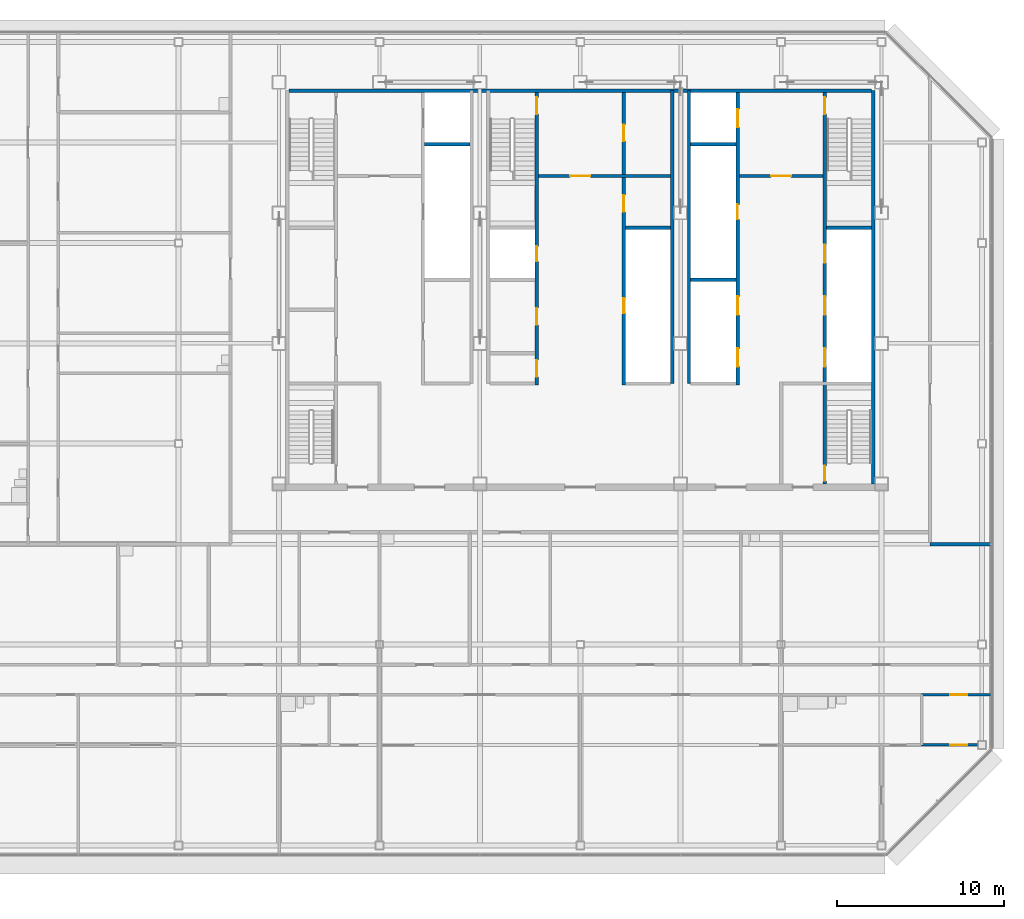
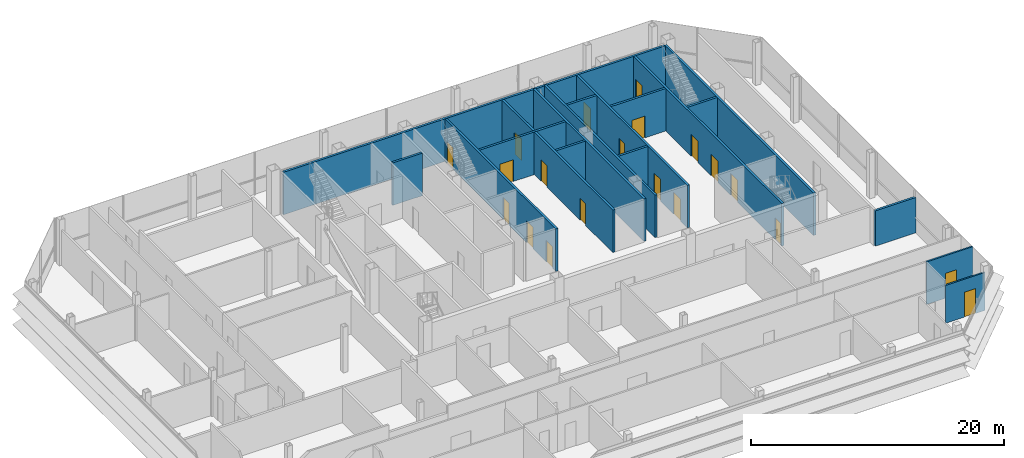
# One storey, part 24 of 29: 20 doors, 18 walls, 20 openings.
"""IFC4 building model written with IfcOpenShell, lengths in metres."""

from ifc_helpers import new_model, si_unit, direction, frame, frame_2d, origin, place, context, subcontext, project, spatial, rectangle, extrude, material, layer, layer_set, type_object, element, fill, save


model = new_model("IFC4")

# Units and contexts
model_context = context("Model", 3, precision=1e-05, world=origin(), true_north=direction((0.0, 1.0)))
body_context = subcontext(model_context, "Body", "Model", "MODEL_VIEW")
ifc_project = project(units=[si_unit("LENGTHUNIT", "METRE"), si_unit("AREAUNIT", "SQUARE_METRE"), si_unit("VOLUMEUNIT", "CUBIC_METRE"), si_unit("PLANEANGLEUNIT", "RADIAN"), si_unit("MASSUNIT", "GRAM", prefix="KILO")], contexts=[model_context])

# Site, building, storey
site_placement = place(None, origin())
site = spatial("IfcSite", under=ifc_project, at=site_placement, CompositionType="ELEMENT")
building_placement = place(site_placement, origin())
building = spatial("IfcBuilding", under=site, at=building_placement, Name="Sorahane Residences", CompositionType="ELEMENT")
storey_placement = place(building_placement, frame((0.0, 0.0, 326.800048828125)))
storey = spatial("IfcBuildingStorey", under=building, at=storey_placement, Name="L78", CompositionType="ELEMENT", Elevation=326.800048828125)

# Walls
ifc_material_1 = material(Name="Concrete C30", Category="concrete")
ifc_layer_1 = layer(ifc_material_1, 0.199951171875)
ifc_layer_set_1 = layer_set([ifc_layer_1], Name="Core face wall 200 EI 180")
wall_type_1 = type_object("IfcWallType", Name="Core face wall 200 EI 180", PredefinedType="SOLIDWALL", material=ifc_layer_set_1)
wall_1_placement = place(storey_placement, frame((41.5, 21.60009765625, 0.0), z_axis=(0.0, 0.0, 1.0), x_axis=(0.0, 1.0, 0.0)))
element("IfcWall", 1, at=wall_1_placement, inside=storey, type_object=wall_type_1, Name="L78 core face wall", PredefinedType="SOLIDWALL", context=body_context, shape_type="SweptSolid", body=[
    extrude(rectangle(XDim=23.5, YDim=0.199951171875, at=frame_2d((11.75, 0.0))), origin(), (0.0, 0.0, 1.0), 4.099853515625),
])
wall_2_placement = place(storey_placement, frame((6.60009765625, 45.10009765625, 0.0), z_axis=(0.0, 0.0, 1.0), x_axis=(1.0, 0.0, 0.0)))
element("IfcWall", 2, at=wall_2_placement, inside=storey, type_object=wall_type_1, Name="L78 core face wall", PredefinedType="SOLIDWALL", context=body_context, shape_type="SweptSolid", body=[
    extrude(rectangle(XDim=34.7998046875, YDim=0.199951171875, at=frame_2d((17.39990234375, 0.0))), origin(), (0.0, 0.0, 1.0), 4.099853515625),
])
for number, where, z_axis, x_axis, name in (
    (3, (29.5, 27.60009765625, 0.0), (0.0, 0.0, 1.0), (0.0, 1.0, 0.0), "L78 core face wall"),
    (4, (30.5, 27.60009765625, 0.0), (0.0, 0.0, 1.0), (0.0, 1.0, 0.0), "L78 core face wall"),
):
    element("IfcWall", number, at=place(storey_placement, frame(where, z_axis=z_axis, x_axis=x_axis)), inside=storey, type_object=wall_type_1, Name=name, PredefinedType="SOLIDWALL", context=body_context, shape_type="SweptSolid", body=[
        extrude(rectangle(XDim=17.5, YDim=0.199951171875, at=frame_2d((8.75, 0.0))), origin(), (0.0, 0.0, 1.0), 4.099853515625),
    ])
ifc_material_2 = material(Name="Concrete blockwork C20 wall", Category="masonry")
ifc_layer_2 = layer(ifc_material_2, 0.199951171875)
ifc_layer_set_2 = layer_set([ifc_layer_2], Name="Corridor wall 200 EI 120")
wall_type_2 = type_object("IfcWallType", Name="Corridor wall 200 EI 120", PredefinedType="SOLIDWALL", material=ifc_layer_set_2)
wall_3_placement = place(storey_placement, frame((44.89990234375, 18.0, 0.0), z_axis=(0.0, 0.0, 1.0), x_axis=(1.0, 0.0, 0.0)))
element("IfcWall", 5, at=wall_3_placement, inside=storey, type_object=wall_type_2, Name="L78 corridor wall", PredefinedType="SOLIDWALL", context=body_context, shape_type="SweptSolid", body=[
    extrude(rectangle(XDim=3.7001953125, YDim=0.199951171875, at=frame_2d((1.85009765625, 0.0))), origin(), (0.0, 0.0, 1.0), 3.39990234375),
])

# Wall, opening, door
ifc_material_3 = material(Name="Concrete C30", Category="concrete")
ifc_layer_3 = layer(ifc_material_3, 0.199951171875)
ifc_layer_set_3 = layer_set([ifc_layer_3], Name="Front room wall 200 EI 120")
wall_type_3 = type_object("IfcWallType", Name="Front room wall 200 EI 120", PredefinedType="PARTITIONING", material=ifc_layer_set_3)
wall_4_placement = place(storey_placement, frame((21.5, 40.0, 0.0), z_axis=(0.0, 0.0, 1.0), x_axis=(1.0, 0.0, 0.0)))
wall_4 = element("IfcWall", 6, at=wall_4_placement, inside=storey, type_object=wall_type_3, Name="L78 front room wall", PredefinedType="PARTITIONING", context=body_context, shape_type="SweptSolid", body=[
    extrude(rectangle(XDim=7.89990234375, YDim=0.199951171875, at=frame_2d((3.949951171875, 0.0))), origin(), (0.0, 0.0, 1.0), 4.099853515625),
])
opening_1_placement = place(wall_4_placement, frame((1.89990234375, 0.0, 0.0)))
opening_1 = element("IfcOpeningElement", 7, at=opening_1_placement, cuts=wall_4, Name="Opening L78-C07", PredefinedType="OPENING", context=body_context, shape_type="SweptSolid", body=[
    extrude(rectangle(XDim=1.199951171875, YDim=2.10009765625, at=frame_2d((0.60009765625, 1.050048828125))), frame((0.0, 0.10986328125, 0.0), z_axis=(0.0, -1.0, 0.0), x_axis=(1.0, 0.0, 0.0)), (0.0, 0.0, 1.0), 0.219970703125),
])
ifc_material_4 = material(Name="Steel", Category="steel")
door_type_1 = type_object("IfcDoorType", Name="Front room door 1200x2100 FD120", OperationType="NOTDEFINED", PredefinedType="DOOR", material=ifc_material_4)
door_1_placement = place(opening_1_placement, frame((1.199951171875, 0.0, 0.0), z_axis=(0.0, 0.0, 1.0), x_axis=(-1.0, 0.0, 0.0)))
door_1 = element("IfcDoor", 8, at=door_1_placement, inside=storey, type_object=door_type_1, Name="Front room door Stair S3 vestibule L78", OperationType="DOUBLE_DOOR_SINGLE_SWING", OverallHeight=2.10009765625, OverallWidth=1.199951171875, PredefinedType="DOOR", context=body_context, shape_type="SweptSolid", body=[
    extrude(rectangle(XDim=1.199951171875, YDim=2.10009765625, at=frame_2d((0.60009765625, 1.050048828125))), frame((0.0, 0.02490234375, 0.0), z_axis=(0.0, -1.0, 0.0), x_axis=(1.0, 0.0, 0.0)), (0.0, 0.0, 1.0), 0.050048828125),
])
fill(opening_1, door_1)

wall_5_placement = place(storey_placement, frame((33.5, 40.0, 0.0), z_axis=(0.0, 0.0, 1.0), x_axis=(1.0, 0.0, 0.0)))
wall_5 = element("IfcWall", 9, at=wall_5_placement, inside=storey, type_object=wall_type_3, Name="L78 front room wall", PredefinedType="PARTITIONING", context=body_context, shape_type="SweptSolid", body=[
    extrude(rectangle(XDim=5.0, YDim=0.199951171875, at=frame_2d((2.5, 0.0))), origin(), (0.0, 0.0, 1.0), 4.099853515625),
])
opening_2_placement = place(wall_5_placement, frame((1.89990234375, 0.0, 0.0)))
opening_2 = element("IfcOpeningElement", 10, at=opening_2_placement, cuts=wall_5, Name="Opening L78-C08", PredefinedType="OPENING", context=body_context, shape_type="SweptSolid", body=[
    extrude(rectangle(XDim=1.199951171875, YDim=2.10009765625, at=frame_2d((0.60009765625, 1.050048828125))), frame((0.0, 0.10986328125, 0.0), z_axis=(0.0, -1.0, 0.0), x_axis=(1.0, 0.0, 0.0)), (0.0, 0.0, 1.0), 0.219970703125),
])
door_2_placement = place(opening_2_placement, frame((1.199951171875, 0.0, 0.0), z_axis=(0.0, 0.0, 1.0), x_axis=(-1.0, 0.0, 0.0)))
door_2 = element("IfcDoor", 11, at=door_2_placement, inside=storey, type_object=door_type_1, Name="Front room door Firefighting lobby FF2 front room L78", OperationType="DOUBLE_DOOR_SINGLE_SWING", OverallHeight=2.10009765625, OverallWidth=1.199951171875, PredefinedType="DOOR", context=body_context, shape_type="SweptSolid", body=[
    extrude(rectangle(XDim=1.199951171875, YDim=2.10009765625, at=frame_2d((0.60009765625, 1.050048828125))), frame((0.0, 0.02490234375, 0.0), z_axis=(0.0, -1.0, 0.0), x_axis=(1.0, 0.0, 0.0)), (0.0, 0.0, 1.0), 0.050048828125),
])
fill(opening_2, door_2)

# Wall, openings, doors
ifc_material_5 = material(Name="Concrete C30", Category="concrete")
ifc_layer_4 = layer(ifc_material_5, 0.199951171875)
ifc_layer_set_4 = layer_set([ifc_layer_4], Name="Lift shaft wall 200 EI 120")
wall_type_4 = type_object("IfcWallType", Name="Lift shaft wall 200 EI 120", PredefinedType="SOLIDWALL", material=ifc_layer_set_4)
wall_6_placement = place(storey_placement, frame((33.39990234375, 27.5, 0.0), z_axis=(0.0, 0.0, 1.0), x_axis=(0.0, 1.0, 0.0)))
wall_6 = element("IfcWall", 12, at=wall_6_placement, inside=storey, type_object=wall_type_4, Name="L78 lift shaft wall", PredefinedType="SOLIDWALL", context=body_context, shape_type="SweptSolid", body=[
    extrude(rectangle(XDim=17.5, YDim=0.199951171875, at=frame_2d((8.75, 0.0))), origin(), (0.0, 0.0, 1.0), 4.099853515625),
])
opening_3_placement = place(wall_6_placement, frame((1.10009765625, 0.0, 0.0)))
opening_3 = element("IfcOpeningElement", 13, at=opening_3_placement, cuts=wall_6, Name="Opening L78-C12", PredefinedType="OPENING", context=body_context, shape_type="SweptSolid", body=[
    extrude(rectangle(XDim=1.10009765625, YDim=2.10009765625, at=frame_2d((0.550048828125, 1.050048828125))), frame((0.0, 0.10986328125, 0.0), z_axis=(0.0, -1.0, 0.0), x_axis=(1.0, 0.0, 0.0)), (0.0, 0.0, 1.0), 0.219970703125),
])
opening_4_placement = place(wall_6_placement, frame((4.199951171875, 0.0, 0.0)))
opening_4 = element("IfcOpeningElement", 14, at=opening_4_placement, cuts=wall_6, Name="Opening L78-C13", PredefinedType="OPENING", context=body_context, shape_type="SweptSolid", body=[
    extrude(rectangle(XDim=1.10009765625, YDim=2.10009765625, at=frame_2d((0.550048828125, 1.050048828125))), frame((0.0, 0.10986328125, 0.0), z_axis=(0.0, -1.0, 0.0), x_axis=(1.0, 0.0, 0.0)), (0.0, 0.0, 1.0), 0.219970703125),
])
opening_5_placement = place(wall_6_placement, frame((15.39990234375, 0.0, 0.0)))
opening_5 = element("IfcOpeningElement", 15, at=opening_5_placement, cuts=wall_6, Name="Opening L78-C14", PredefinedType="OPENING", context=body_context, shape_type="SweptSolid", body=[
    extrude(rectangle(XDim=1.10009765625, YDim=2.10009765625, at=frame_2d((0.550048828125, 1.050048828125))), frame((0.0, 0.10986328125, 0.0), z_axis=(0.0, -1.0, 0.0), x_axis=(1.0, 0.0, 0.0)), (0.0, 0.0, 1.0), 0.219970703125),
])
opening_6_placement = place(wall_6_placement, frame((9.89990234375, 0.0, 0.0)))
opening_6 = element("IfcOpeningElement", 16, at=opening_6_placement, cuts=wall_6, Name="Opening L78-C27", PredefinedType="OPENING", context=body_context, shape_type="SweptSolid", body=[
    extrude(rectangle(XDim=0.89990234375, YDim=2.10009765625, at=frame_2d((0.449951171875, 1.050048828125))), frame((0.0, 0.10986328125, 0.0), z_axis=(0.0, -1.0, 0.0), x_axis=(1.0, 0.0, 0.0)), (0.0, 0.0, 1.0), 0.219970703125),
])
ifc_material_6 = material(Name="Aluminium and stainless steel", Category="steel")
door_type_2 = type_object("IfcDoorType", Name="Lift landing door 1100x2100 E 60", OperationType="NOTDEFINED", PredefinedType="DOOR", material=ifc_material_6)
door_3_placement = place(opening_3_placement, origin())
door_3 = element("IfcDoor", 17, at=door_3_placement, inside=storey, type_object=door_type_2, Name="Lift landing door HR4 L78", OperationType="DOUBLE_DOOR_SLIDING", OverallHeight=2.10009765625, OverallWidth=1.10009765625, PredefinedType="DOOR", context=body_context, shape_type="SweptSolid", body=[
    extrude(rectangle(XDim=1.10009765625, YDim=2.10009765625, at=frame_2d((0.550048828125, 1.050048828125))), frame((0.0, 0.02490234375, 0.0), z_axis=(0.0, -1.0, 0.0), x_axis=(1.0, 0.0, 0.0)), (0.0, 0.0, 1.0), 0.050048828125),
])
fill(opening_3, door_3)
door_4_placement = place(opening_4_placement, origin())
door_4 = element("IfcDoor", 18, at=door_4_placement, inside=storey, type_object=door_type_2, Name="Lift landing door HR5 L78", OperationType="DOUBLE_DOOR_SLIDING", OverallHeight=2.10009765625, OverallWidth=1.10009765625, PredefinedType="DOOR", context=body_context, shape_type="SweptSolid", body=[
    extrude(rectangle(XDim=1.10009765625, YDim=2.10009765625, at=frame_2d((0.550048828125, 1.050048828125))), frame((0.0, 0.02490234375, 0.0), z_axis=(0.0, -1.0, 0.0), x_axis=(1.0, 0.0, 0.0)), (0.0, 0.0, 1.0), 0.050048828125),
])
fill(opening_4, door_4)
door_5_placement = place(opening_5_placement, origin())
door_5 = element("IfcDoor", 19, at=door_5_placement, inside=storey, type_object=door_type_2, Name="Lift landing door FF2 L78", OperationType="DOUBLE_DOOR_SLIDING", OverallHeight=2.10009765625, OverallWidth=1.10009765625, PredefinedType="DOOR", context=body_context, shape_type="SweptSolid", body=[
    extrude(rectangle(XDim=1.10009765625, YDim=2.10009765625, at=frame_2d((0.550048828125, 1.050048828125))), frame((0.0, 0.02490234375, 0.0), z_axis=(0.0, -1.0, 0.0), x_axis=(1.0, 0.0, 0.0)), (0.0, 0.0, 1.0), 0.050048828125),
])
fill(opening_5, door_5)
ifc_material_7 = material(Name="Steel", Category="steel")
door_type_3 = type_object("IfcDoorType", Name="Riser door 900x2100 FD120", OperationType="NOTDEFINED", PredefinedType="DOOR", material=ifc_material_7)
door_6_placement = place(opening_6_placement, frame((0.89990234375, 0.0, 0.0), z_axis=(0.0, 0.0, 1.0), x_axis=(-1.0, 0.0, 0.0)))
door_6 = element("IfcDoor", 20, at=door_6_placement, inside=storey, type_object=door_type_3, Name="Riser door R2 L78", OperationType="SINGLE_SWING_LEFT", OverallHeight=2.10009765625, OverallWidth=0.89990234375, PredefinedType="DOOR", context=body_context, shape_type="SweptSolid", body=[
    extrude(rectangle(XDim=0.89990234375, YDim=2.10009765625, at=frame_2d((0.449951171875, 1.050048828125))), frame((0.0, 0.02490234375, 0.0), z_axis=(0.0, -1.0, 0.0), x_axis=(1.0, 0.0, 0.0)), (0.0, 0.0, 1.0), 0.050048828125),
])
fill(opening_6, door_6)

# Walls
for number, where, z_axis, x_axis, name in (
    (21, (30.60009765625, 33.800048828125, 0.0), (0.0, 0.0, 1.0), (1.0, 0.0, 0.0), "L78 lift shaft wall"),
    (22, (14.699951171875, 41.89990234375, 0.0), (0.0, 0.0, 1.0), (1.0, 0.0, 0.0), "L78 lift shaft wall"),
    (23, (30.60009765625, 41.89990234375, 0.0), (0.0, 0.0, 1.0), (1.0, 0.0, 0.0), "L78 lift shaft wall"),
):
    element("IfcWall", number, at=place(storey_placement, frame(where, z_axis=z_axis, x_axis=x_axis)), inside=storey, type_object=wall_type_4, Name=name, PredefinedType="SOLIDWALL", context=body_context, shape_type="SweptSolid", body=[
        extrude(rectangle(XDim=2.699951171875, YDim=0.199951171875, at=frame_2d((1.35009765625, 0.0))), origin(), (0.0, 0.0, 1.0), 4.099853515625),
    ])

# Wall, opening, door
ifc_material_8 = material(Name="Gypsum board partition on steel studs", Category="steel")
ifc_layer_5 = layer(ifc_material_8, 0.14990234375)
ifc_layer_set_5 = layer_set([ifc_layer_5], Name="Partition 150 EI 90")
wall_type_5 = type_object("IfcWallType", Name="Partition 150 EI 90", PredefinedType="PARTITIONING", material=ifc_layer_set_5)
wall_7_placement = place(storey_placement, frame((44.39990234375, 6.0, 0.0), z_axis=(0.0, 0.0, 1.0), x_axis=(1.0, 0.0, 0.0)))
wall_7 = element("IfcWall", 24, at=wall_7_placement, inside=storey, type_object=wall_type_5, Name="L78 partition", PredefinedType="PARTITIONING", context=body_context, shape_type="SweptSolid", body=[
    extrude(rectangle(XDim=3.60009765625, YDim=0.14990234375, at=frame_2d((1.800048828125, 0.0))), origin(), (0.0, 0.0, 1.0), 3.64990234375),
])
opening_7_placement = place(wall_7_placement, frame((1.719970703125, 0.0, 0.0)))
opening_7 = element("IfcOpeningElement", 25, at=opening_7_placement, cuts=wall_7, Name="Opening L78-23", PredefinedType="OPENING", context=body_context, shape_type="SweptSolid", body=[
    extrude(rectangle(XDim=1.0, YDim=2.39990234375, at=frame_2d((0.5, 1.199951171875))), frame((0.0, 0.0849609375, 0.0), z_axis=(0.0, -1.0, 0.0), x_axis=(1.0, 0.0, 0.0)), (0.0, 0.0, 1.0), 0.169921875),
])
ifc_material_9 = material(Name="Timber veneered fire door", Category="wood")
door_type_4 = type_object("IfcDoorType", Name="Room door 1000x2400 FD30", OperationType="NOTDEFINED", PredefinedType="DOOR", material=ifc_material_9)
door_7_placement = place(opening_7_placement, frame((1.0, 0.0, 0.0), z_axis=(0.0, 0.0, 1.0), x_axis=(-1.0, 0.0, 0.0)))
door_7 = element("IfcDoor", 26, at=door_7_placement, inside=storey, type_object=door_type_4, Name="Room door L78-23", OperationType="SINGLE_SWING_LEFT", OverallHeight=2.39990234375, OverallWidth=1.0, PredefinedType="DOOR", context=body_context, shape_type="SweptSolid", body=[
    extrude(rectangle(XDim=1.0, YDim=2.39990234375, at=frame_2d((0.5, 1.199951171875))), frame((0.0, 0.02490234375, 0.0), z_axis=(0.0, -1.0, 0.0), x_axis=(1.0, 0.0, 0.0)), (0.0, 0.0, 1.0), 0.050048828125),
])
fill(opening_7, door_7)

wall_8_placement = place(storey_placement, frame((44.39990234375, 9.0, 0.0), z_axis=(0.0, 0.0, 1.0), x_axis=(1.0, 0.0, 0.0)))
wall_8 = element("IfcWall", 27, at=wall_8_placement, inside=storey, type_object=wall_type_5, Name="L78 partition", PredefinedType="PARTITIONING", context=body_context, shape_type="SweptSolid", body=[
    extrude(rectangle(XDim=4.2001953125, YDim=0.14990234375, at=frame_2d((2.10009765625, 0.0))), origin(), (0.0, 0.0, 1.0), 4.099853515625),
])
opening_8_placement = place(wall_8_placement, frame((1.719970703125, 0.0, 0.0)))
opening_8 = element("IfcOpeningElement", 28, at=opening_8_placement, cuts=wall_8, Name="Opening L78-20", PredefinedType="OPENING", context=body_context, shape_type="SweptSolid", body=[
    extrude(rectangle(XDim=1.0, YDim=2.39990234375, at=frame_2d((0.5, 1.199951171875))), frame((0.0, 0.0849609375, 0.0), z_axis=(0.0, -1.0, 0.0), x_axis=(1.0, 0.0, 0.0)), (0.0, 0.0, 1.0), 0.169921875),
])
door_8_placement = place(opening_8_placement, frame((1.0, 0.0, 0.0), z_axis=(0.0, 0.0, 1.0), x_axis=(-1.0, 0.0, 0.0)))
door_8 = element("IfcDoor", 29, at=door_8_placement, inside=storey, type_object=door_type_4, Name="Room door L78-20", OperationType="SINGLE_SWING_LEFT", OverallHeight=2.39990234375, OverallWidth=1.0, PredefinedType="DOOR", context=body_context, shape_type="SweptSolid", body=[
    extrude(rectangle(XDim=1.0, YDim=2.39990234375, at=frame_2d((0.5, 1.199951171875))), frame((0.0, 0.02490234375, 0.0), z_axis=(0.0, -1.0, 0.0), x_axis=(1.0, 0.0, 0.0)), (0.0, 0.0, 1.0), 0.050048828125),
])
fill(opening_8, door_8)

# Wall, openings, doors
ifc_material_10 = material(Name="Concrete C30", Category="concrete")
ifc_layer_6 = layer(ifc_material_10, 0.199951171875)
ifc_layer_set_6 = layer_set([ifc_layer_6], Name="Riser shaft wall 200 EI 120")
wall_type_6 = type_object("IfcWallType", Name="Riser shaft wall 200 EI 120", PredefinedType="SOLIDWALL", material=ifc_layer_set_6)
wall_9_placement = place(storey_placement, frame((26.60009765625, 27.5, 0.0), z_axis=(0.0, 0.0, 1.0), x_axis=(0.0, 1.0, 0.0)))
wall_9 = element("IfcWall", 30, at=wall_9_placement, inside=storey, type_object=wall_type_6, Name="L78 riser wall", PredefinedType="SOLIDWALL", context=body_context, shape_type="SweptSolid", body=[
    extrude(rectangle(XDim=17.5, YDim=0.199951171875, at=frame_2d((8.75, 0.0))), origin(), (0.0, 0.0, 1.0), 4.099853515625),
])
opening_9_placement = place(wall_9_placement, frame((4.300048828125, 0.0, 0.0)))
opening_9 = element("IfcOpeningElement", 31, at=opening_9_placement, cuts=wall_9, Name="Opening L78-C29", PredefinedType="OPENING", context=body_context, shape_type="SweptSolid", body=[
    extrude(rectangle(XDim=0.89990234375, YDim=2.10009765625, at=frame_2d((0.449951171875, 1.050048828125))), frame((0.0, 0.10986328125, 0.0), z_axis=(0.0, -1.0, 0.0), x_axis=(1.0, 0.0, 0.0)), (0.0, 0.0, 1.0), 0.219970703125),
])
opening_10_placement = place(wall_9_placement, frame((10.35009765625, 0.0, 0.0)))
opening_10 = element("IfcOpeningElement", 32, at=opening_10_placement, cuts=wall_9, Name="Opening L78-C30", PredefinedType="OPENING", context=body_context, shape_type="SweptSolid", body=[
    extrude(rectangle(XDim=1.0, YDim=2.10009765625, at=frame_2d((0.5, 1.050048828125))), frame((0.0, 0.10986328125, 0.0), z_axis=(0.0, -1.0, 0.0), x_axis=(1.0, 0.0, 0.0)), (0.0, 0.0, 1.0), 0.219970703125),
])
opening_11_placement = place(wall_9_placement, frame((14.574951171875, 0.0, 0.0)))
opening_11 = element("IfcOpeningElement", 33, at=opening_11_placement, cuts=wall_9, Name="Opening L78-C31", PredefinedType="OPENING", context=body_context, shape_type="SweptSolid", body=[
    extrude(rectangle(XDim=1.0, YDim=2.10009765625, at=frame_2d((0.5, 1.050048828125))), frame((0.0, 0.10986328125, 0.0), z_axis=(0.0, -1.0, 0.0), x_axis=(1.0, 0.0, 0.0)), (0.0, 0.0, 1.0), 0.219970703125),
])
door_9_placement = place(opening_9_placement, origin())
door_9 = element("IfcDoor", 34, at=door_9_placement, inside=storey, type_object=door_type_3, Name="Riser door R4 L78", OperationType="SINGLE_SWING_LEFT", OverallHeight=2.10009765625, OverallWidth=0.89990234375, PredefinedType="DOOR", context=body_context, shape_type="SweptSolid", body=[
    extrude(rectangle(XDim=0.89990234375, YDim=2.10009765625, at=frame_2d((0.449951171875, 1.050048828125))), frame((0.0, 0.02490234375, 0.0), z_axis=(0.0, -1.0, 0.0), x_axis=(1.0, 0.0, 0.0)), (0.0, 0.0, 1.0), 0.050048828125),
])
fill(opening_9, door_9)
ifc_material_11 = material(Name="Steel", Category="steel")
door_type_5 = type_object("IfcDoorType", Name="Service room door 1000x2100 FD60", OperationType="NOTDEFINED", PredefinedType="DOOR", material=ifc_material_11)
door_10_placement = place(opening_10_placement, frame((1.0, 0.0, 0.0), z_axis=(0.0, 0.0, 1.0), x_axis=(-1.0, 0.0, 0.0)))
door_10 = element("IfcDoor", 35, at=door_10_placement, inside=storey, type_object=door_type_5, Name="Service room door Linen room L78", OperationType="SINGLE_SWING_LEFT", OverallHeight=2.10009765625, OverallWidth=1.0, PredefinedType="DOOR", context=body_context, shape_type="SweptSolid", body=[
    extrude(rectangle(XDim=1.0, YDim=2.10009765625, at=frame_2d((0.5, 1.050048828125))), frame((0.0, 0.02490234375, 0.0), z_axis=(0.0, -1.0, 0.0), x_axis=(1.0, 0.0, 0.0)), (0.0, 0.0, 1.0), 0.050048828125),
])
fill(opening_10, door_10)
door_11_placement = place(opening_11_placement, frame((1.0, 0.0, 0.0), z_axis=(0.0, 0.0, 1.0), x_axis=(-1.0, 0.0, 0.0)))
door_11 = element("IfcDoor", 36, at=door_11_placement, inside=storey, type_object=door_type_5, Name="Service room door Cleaners' store L78", OperationType="SINGLE_SWING_LEFT", OverallHeight=2.10009765625, OverallWidth=1.0, PredefinedType="DOOR", context=body_context, shape_type="SweptSolid", body=[
    extrude(rectangle(XDim=1.0, YDim=2.10009765625, at=frame_2d((0.5, 1.050048828125))), frame((0.0, 0.02490234375, 0.0), z_axis=(0.0, -1.0, 0.0), x_axis=(1.0, 0.0, 0.0)), (0.0, 0.0, 1.0), 0.050048828125),
])
fill(opening_11, door_11)

# Wall
wall_10_placement = place(storey_placement, frame((26.699951171875, 36.89990234375, 0.0), z_axis=(0.0, 0.0, 1.0), x_axis=(1.0, 0.0, 0.0)))
element("IfcWall", 37, at=wall_10_placement, inside=storey, type_object=wall_type_6, Name="L78 riser wall", PredefinedType="SOLIDWALL", context=body_context, shape_type="SweptSolid", body=[
    extrude(rectangle(XDim=2.699951171875, YDim=0.199951171875, at=frame_2d((1.35009765625, 0.0))), origin(), (0.0, 0.0, 1.0), 4.099853515625),
])

# Wall, openings, doors
ifc_material_12 = material(Name="Concrete C30", Category="concrete")
ifc_layer_7 = layer(ifc_material_12, 0.199951171875)
ifc_layer_set_7 = layer_set([ifc_layer_7], Name="Stair enclosure wall 200 EI 120")
wall_type_7 = type_object("IfcWallType", Name="Stair enclosure wall 200 EI 120", PredefinedType="SOLIDWALL", material=ifc_layer_set_7)
wall_11_placement = place(storey_placement, frame((21.39990234375, 27.5, 0.0), z_axis=(0.0, 0.0, 1.0), x_axis=(0.0, 1.0, 0.0)))
wall_11 = element("IfcWall", 38, at=wall_11_placement, inside=storey, type_object=wall_type_7, Name="L78 stair enclosure wall", PredefinedType="SOLIDWALL", context=body_context, shape_type="SweptSolid", body=[
    extrude(rectangle(XDim=17.5, YDim=0.199951171875, at=frame_2d((8.75, 0.0))), origin(), (0.0, 0.0, 1.0), 4.099853515625),
])
opening_12_placement = place(wall_11_placement, frame((0.5, 0.0, 0.0)))
opening_12 = element("IfcOpeningElement", 39, at=opening_12_placement, cuts=wall_11, Name="Opening L78-C16", PredefinedType="OPENING", context=body_context, shape_type="SweptSolid", body=[
    extrude(rectangle(XDim=1.0, YDim=2.10009765625, at=frame_2d((0.5, 1.050048828125))), frame((0.0, 0.10986328125, 0.0), z_axis=(0.0, -1.0, 0.0), x_axis=(1.0, 0.0, 0.0)), (0.0, 0.0, 1.0), 0.219970703125),
])
opening_13_placement = place(wall_11_placement, frame((3.60009765625, 0.0, 0.0)))
opening_13 = element("IfcOpeningElement", 40, at=opening_13_placement, cuts=wall_11, Name="Opening L78-C17", PredefinedType="OPENING", context=body_context, shape_type="SweptSolid", body=[
    extrude(rectangle(XDim=1.0, YDim=2.10009765625, at=frame_2d((0.5, 1.050048828125))), frame((0.0, 0.10986328125, 0.0), z_axis=(0.0, -1.0, 0.0), x_axis=(1.0, 0.0, 0.0)), (0.0, 0.0, 1.0), 0.219970703125),
])
opening_14_placement = place(wall_11_placement, frame((16.199951171875, 0.0, 0.0)))
opening_14 = element("IfcOpeningElement", 41, at=opening_14_placement, cuts=wall_11, Name="Opening L78-C23", PredefinedType="OPENING", context=body_context, shape_type="SweptSolid", body=[
    extrude(rectangle(XDim=1.0, YDim=2.10009765625, at=frame_2d((0.5, 1.050048828125))), frame((0.0, 0.10986328125, 0.0), z_axis=(0.0, -1.0, 0.0), x_axis=(1.0, 0.0, 0.0)), (0.0, 0.0, 1.0), 0.219970703125),
])
opening_15_placement = place(wall_11_placement, frame((7.39990234375, 0.0, 0.0)))
opening_15 = element("IfcOpeningElement", 42, at=opening_15_placement, cuts=wall_11, Name="Opening L78-C28", PredefinedType="OPENING", context=body_context, shape_type="SweptSolid", body=[
    extrude(rectangle(XDim=0.89990234375, YDim=2.10009765625, at=frame_2d((0.449951171875, 1.050048828125))), frame((0.0, 0.10986328125, 0.0), z_axis=(0.0, -1.0, 0.0), x_axis=(1.0, 0.0, 0.0)), (0.0, 0.0, 1.0), 0.219970703125),
])
door_12_placement = place(opening_15_placement, frame((0.89990234375, 0.0, 0.0), z_axis=(0.0, 0.0, 1.0), x_axis=(-1.0, 0.0, 0.0)))
door_12 = element("IfcDoor", 43, at=door_12_placement, inside=storey, type_object=door_type_3, Name="Riser door R3 L78", OperationType="SINGLE_SWING_LEFT", OverallHeight=2.10009765625, OverallWidth=0.89990234375, PredefinedType="DOOR", context=body_context, shape_type="SweptSolid", body=[
    extrude(rectangle(XDim=0.89990234375, YDim=2.10009765625, at=frame_2d((0.449951171875, 1.050048828125))), frame((0.0, 0.02490234375, 0.0), z_axis=(0.0, -1.0, 0.0), x_axis=(1.0, 0.0, 0.0)), (0.0, 0.0, 1.0), 0.050048828125),
])
fill(opening_15, door_12)
door_13_placement = place(opening_12_placement, origin())
door_13 = element("IfcDoor", 44, at=door_13_placement, inside=storey, type_object=door_type_5, Name="Service room door Flower store L78", OperationType="SINGLE_SWING_RIGHT", OverallHeight=2.10009765625, OverallWidth=1.0, PredefinedType="DOOR", context=body_context, shape_type="SweptSolid", body=[
    extrude(rectangle(XDim=1.0, YDim=2.10009765625, at=frame_2d((0.5, 1.050048828125))), frame((0.0, 0.02490234375, 0.0), z_axis=(0.0, -1.0, 0.0), x_axis=(1.0, 0.0, 0.0)), (0.0, 0.0, 1.0), 0.050048828125),
])
fill(opening_12, door_13)
door_14_placement = place(opening_13_placement, origin())
door_14 = element("IfcDoor", 45, at=door_14_placement, inside=storey, type_object=door_type_5, Name="Service room door Gift store L78", OperationType="SINGLE_SWING_LEFT", OverallHeight=2.10009765625, OverallWidth=1.0, PredefinedType="DOOR", context=body_context, shape_type="SweptSolid", body=[
    extrude(rectangle(XDim=1.0, YDim=2.10009765625, at=frame_2d((0.5, 1.050048828125))), frame((0.0, 0.02490234375, 0.0), z_axis=(0.0, -1.0, 0.0), x_axis=(1.0, 0.0, 0.0)), (0.0, 0.0, 1.0), 0.050048828125),
])
fill(opening_13, door_14)
ifc_material_13 = material(Name="Steel", Category="steel")
door_type_6 = type_object("IfcDoorType", Name="Stair door 1000x2100 FD120", OperationType="NOTDEFINED", PredefinedType="DOOR", material=ifc_material_13)
door_15_placement = place(opening_14_placement, origin())
door_15 = element("IfcDoor", 46, at=door_15_placement, inside=storey, type_object=door_type_6, Name="Stair door S3 L78", OperationType="SINGLE_SWING_LEFT", OverallHeight=2.10009765625, OverallWidth=1.0, PredefinedType="DOOR", context=body_context, shape_type="SweptSolid", body=[
    extrude(rectangle(XDim=1.0, YDim=2.10009765625, at=frame_2d((0.5, 1.050048828125))), frame((0.0, 0.02490234375, 0.0), z_axis=(0.0, -1.0, 0.0), x_axis=(1.0, 0.0, 0.0)), (0.0, 0.0, 1.0), 0.050048828125),
])
fill(opening_14, door_15)

wall_12_placement = place(storey_placement, frame((38.60009765625, 21.60009765625, 0.0), z_axis=(0.0, 0.0, 1.0), x_axis=(0.0, 1.0, 0.0)))
wall_12 = element("IfcWall", 47, at=wall_12_placement, inside=storey, type_object=wall_type_7, Name="L78 stair enclosure wall", PredefinedType="SOLIDWALL", context=body_context, shape_type="SweptSolid", body=[
    extrude(rectangle(XDim=23.39990234375, YDim=0.199951171875, at=frame_2d((11.699951171875, 0.0))), origin(), (0.0, 0.0, 1.0), 4.099853515625),
])
opening_16_placement = place(wall_12_placement, frame((7.0, 0.0, 0.0)))
opening_16 = element("IfcOpeningElement", 48, at=opening_16_placement, cuts=wall_12, Name="Opening L78-C09", PredefinedType="OPENING", context=body_context, shape_type="SweptSolid", body=[
    extrude(rectangle(XDim=1.10009765625, YDim=2.10009765625, at=frame_2d((0.550048828125, 1.050048828125))), frame((0.0, 0.10986328125, 0.0), z_axis=(0.0, -1.0, 0.0), x_axis=(1.0, 0.0, 0.0)), (0.0, 0.0, 1.0), 0.219970703125),
])
opening_17_placement = place(wall_12_placement, frame((10.10009765625, 0.0, 0.0)))
opening_17 = element("IfcOpeningElement", 49, at=opening_17_placement, cuts=wall_12, Name="Opening L78-C10", PredefinedType="OPENING", context=body_context, shape_type="SweptSolid", body=[
    extrude(rectangle(XDim=1.10009765625, YDim=2.10009765625, at=frame_2d((0.550048828125, 1.050048828125))), frame((0.0, 0.10986328125, 0.0), z_axis=(0.0, -1.0, 0.0), x_axis=(1.0, 0.0, 0.0)), (0.0, 0.0, 1.0), 0.219970703125),
])
opening_18_placement = place(wall_12_placement, frame((13.199951171875, 0.0, 0.0)))
opening_18 = element("IfcOpeningElement", 50, at=opening_18_placement, cuts=wall_12, Name="Opening L78-C11", PredefinedType="OPENING", context=body_context, shape_type="SweptSolid", body=[
    extrude(rectangle(XDim=1.10009765625, YDim=2.10009765625, at=frame_2d((0.550048828125, 1.050048828125))), frame((0.0, 0.10986328125, 0.0), z_axis=(0.0, -1.0, 0.0), x_axis=(1.0, 0.0, 0.0)), (0.0, 0.0, 1.0), 0.219970703125),
])
opening_19_placement = place(wall_12_placement, frame((22.10009765625, 0.0, 0.0)))
opening_19 = element("IfcOpeningElement", 51, at=opening_19_placement, cuts=wall_12, Name="Opening L78-C22", PredefinedType="OPENING", context=body_context, shape_type="SweptSolid", body=[
    extrude(rectangle(XDim=1.0, YDim=2.10009765625, at=frame_2d((0.5, 1.050048828125))), frame((0.0, 0.10986328125, 0.0), z_axis=(0.0, -1.0, 0.0), x_axis=(1.0, 0.0, 0.0)), (0.0, 0.0, 1.0), 0.219970703125),
])
opening_20_placement = place(wall_12_placement, frame((0.175048828125, 0.0, 0.0)))
opening_20 = element("IfcOpeningElement", 52, at=opening_20_placement, cuts=wall_12, Name="Opening L78-C25", PredefinedType="OPENING", context=body_context, shape_type="SweptSolid", body=[
    extrude(rectangle(XDim=0.89990234375, YDim=2.10009765625, at=frame_2d((0.449951171875, 1.050048828125))), frame((0.0, 0.10986328125, 0.0), z_axis=(0.0, -1.0, 0.0), x_axis=(1.0, 0.0, 0.0)), (0.0, 0.0, 1.0), 0.219970703125),
])
door_16_placement = place(opening_16_placement, origin())
door_16 = element("IfcDoor", 53, at=door_16_placement, inside=storey, type_object=door_type_2, Name="Lift landing door HR1 L78", OperationType="DOUBLE_DOOR_SLIDING", OverallHeight=2.10009765625, OverallWidth=1.10009765625, PredefinedType="DOOR", context=body_context, shape_type="SweptSolid", body=[
    extrude(rectangle(XDim=1.10009765625, YDim=2.10009765625, at=frame_2d((0.550048828125, 1.050048828125))), frame((0.0, 0.02490234375, 0.0), z_axis=(0.0, -1.0, 0.0), x_axis=(1.0, 0.0, 0.0)), (0.0, 0.0, 1.0), 0.050048828125),
])
fill(opening_16, door_16)
door_17_placement = place(opening_17_placement, origin())
door_17 = element("IfcDoor", 54, at=door_17_placement, inside=storey, type_object=door_type_2, Name="Lift landing door HR2 L78", OperationType="DOUBLE_DOOR_SLIDING", OverallHeight=2.10009765625, OverallWidth=1.10009765625, PredefinedType="DOOR", context=body_context, shape_type="SweptSolid", body=[
    extrude(rectangle(XDim=1.10009765625, YDim=2.10009765625, at=frame_2d((0.550048828125, 1.050048828125))), frame((0.0, 0.02490234375, 0.0), z_axis=(0.0, -1.0, 0.0), x_axis=(1.0, 0.0, 0.0)), (0.0, 0.0, 1.0), 0.050048828125),
])
fill(opening_17, door_17)
door_18_placement = place(opening_18_placement, origin())
door_18 = element("IfcDoor", 55, at=door_18_placement, inside=storey, type_object=door_type_2, Name="Lift landing door HR3 L78", OperationType="DOUBLE_DOOR_SLIDING", OverallHeight=2.10009765625, OverallWidth=1.10009765625, PredefinedType="DOOR", context=body_context, shape_type="SweptSolid", body=[
    extrude(rectangle(XDim=1.10009765625, YDim=2.10009765625, at=frame_2d((0.550048828125, 1.050048828125))), frame((0.0, 0.02490234375, 0.0), z_axis=(0.0, -1.0, 0.0), x_axis=(1.0, 0.0, 0.0)), (0.0, 0.0, 1.0), 0.050048828125),
])
fill(opening_18, door_18)
door_19_placement = place(opening_19_placement, frame((1.0, 0.0, 0.0), z_axis=(0.0, 0.0, 1.0), x_axis=(-1.0, 0.0, 0.0)))
door_19 = element("IfcDoor", 56, at=door_19_placement, inside=storey, type_object=door_type_6, Name="Stair door S2 L78", OperationType="SINGLE_SWING_LEFT", OverallHeight=2.10009765625, OverallWidth=1.0, PredefinedType="DOOR", context=body_context, shape_type="SweptSolid", body=[
    extrude(rectangle(XDim=1.0, YDim=2.10009765625, at=frame_2d((0.5, 1.050048828125))), frame((0.0, 0.02490234375, 0.0), z_axis=(0.0, -1.0, 0.0), x_axis=(1.0, 0.0, 0.0)), (0.0, 0.0, 1.0), 0.050048828125),
])
fill(opening_19, door_19)
ifc_material_14 = material(Name="Steel", Category="steel")
door_type_7 = type_object("IfcDoorType", Name="Stair door 900x2100 FD120", OperationType="NOTDEFINED", PredefinedType="DOOR", material=ifc_material_14)
door_20_placement = place(opening_20_placement, frame((0.89990234375, 0.0, 0.0), z_axis=(0.0, 0.0, 1.0), x_axis=(-1.0, 0.0, 0.0)))
door_20 = element("IfcDoor", 57, at=door_20_placement, inside=storey, type_object=door_type_7, Name="Stair door S5 L78", OperationType="SINGLE_SWING_LEFT", OverallHeight=2.10009765625, OverallWidth=0.89990234375, PredefinedType="DOOR", context=body_context, shape_type="SweptSolid", body=[
    extrude(rectangle(XDim=0.89990234375, YDim=2.10009765625, at=frame_2d((0.449951171875, 1.050048828125))), frame((0.0, 0.02490234375, 0.0), z_axis=(0.0, -1.0, 0.0), x_axis=(1.0, 0.0, 0.0)), (0.0, 0.0, 1.0), 0.050048828125),
])
fill(opening_20, door_20)

# Wall
wall_13_placement = place(storey_placement, frame((38.699951171875, 36.89990234375, 0.0), z_axis=(0.0, 0.0, 1.0), x_axis=(1.0, 0.0, 0.0)))
element("IfcWall", 58, at=wall_13_placement, inside=storey, type_object=wall_type_7, Name="L78 stair enclosure wall", PredefinedType="SOLIDWALL", context=body_context, shape_type="SweptSolid", body=[
    extrude(rectangle(XDim=2.699951171875, YDim=0.199951171875, at=frame_2d((1.35009765625, 0.0))), origin(), (0.0, 0.0, 1.0), 4.099853515625),
])

save(model, "model.ifc")
